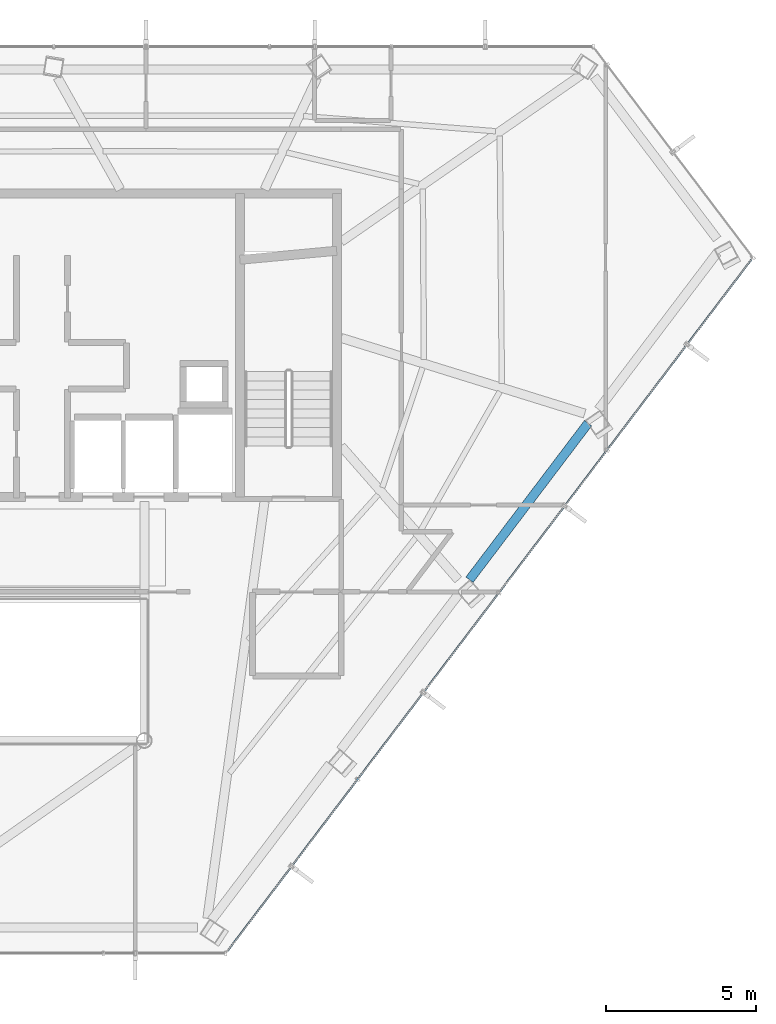
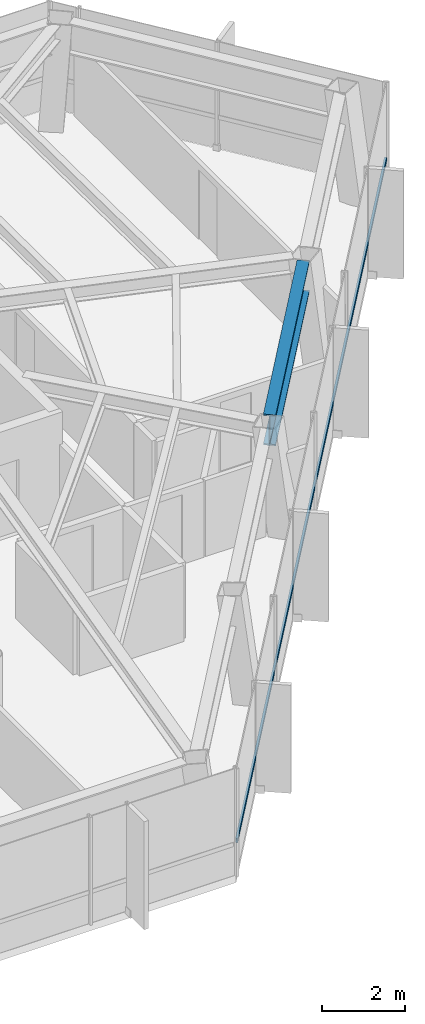
# One storey, part 18 of 27: 1 beam, 1 member, 1 element without a shape of its own.
"""IFC4 building model written with IfcOpenShell, lengths in metres."""

from ifc_helpers import new_model, si_unit, direction, frame, origin, origin_2d, place, context, subcontext, project, spatial, hollow_rectangle, i_section, extrude, material, layer, layer_set, material_profile, profile_set, type_object, element, aggregate, save


model = new_model("IFC4")

# Units and contexts
model_context = context("Model", 3, precision=1e-05, world=origin(), true_north=direction((0.0, 1.0)))
body_context = subcontext(model_context, "Body", "Model", "MODEL_VIEW")
ifc_project = project(units=[si_unit("LENGTHUNIT", "METRE"), si_unit("AREAUNIT", "SQUARE_METRE"), si_unit("VOLUMEUNIT", "CUBIC_METRE"), si_unit("PLANEANGLEUNIT", "RADIAN"), si_unit("MASSUNIT", "GRAM", prefix="KILO")], contexts=[model_context])

# Site, building, storey
site_placement = place(None, origin())
site = spatial("IfcSite", under=ifc_project, at=site_placement, CompositionType="ELEMENT")
building_placement = place(site_placement, origin())
building = spatial("IfcBuilding", under=site, at=building_placement, Name="Zarrinselat Tower", CompositionType="ELEMENT")
storey_placement = place(building_placement, frame((0.0, 0.0, 225.760009765625)))
storey = spatial("IfcBuildingStorey", under=building, at=storey_placement, Name="L56", CompositionType="ELEMENT", Elevation=225.760009765625)

# Beam
ifc_material_1 = material(Name="Steel S460M", Category="steel")
ifc_material_profile_1 = material_profile(ifc_material_1, i_section(OverallWidth=0.302001953125, OverallDepth=0.909912109375, WebThickness=0.02099609375, FlangeThickness=0.0400390625, at=origin_2d()), Name="HEM 900")
ifc_profile_set_1 = profile_set([ifc_material_profile_1], Name="Steel S460M")
beam_type = type_object("IfcBeamType", Name="BM-HEM900", PredefinedType="BEAM", material=ifc_profile_set_1)
beam_placement = place(storey_placement, frame((52.62060546875, 30.552001953125, 2.72509765625), z_axis=(0.603871350868, 0.797081797308, 0.0), x_axis=(-0.797081797308, 0.603871350868, 0.0)))
element("IfcBeam", 1, at=beam_placement, inside=storey, type_object=beam_type, Name="L56 Perimeter Spandrel Girder SP13", PredefinedType="BEAM", context=body_context, shape_type="SweptSolid", body=[
    extrude(i_section(OverallWidth=0.302001953125, OverallDepth=0.909912109375, WebThickness=0.02099609375, FlangeThickness=0.0400390625, at=origin_2d()), origin(), (0.0, 0.0, 1.0), 6.53662109375),
])

# Curtain wall, member
ifc_material_2 = material(Name="Extruded Aluminium Alloy EN AW-6063 T6", Category="aluminium")
ifc_layer = layer(ifc_material_2, 0.169921875)
ifc_layer_set = layer_set([ifc_layer], Name="Extruded Aluminium Alloy EN AW-6063 T6")
curtain_wall_type = type_object("IfcCurtainWallType", Name="CWS-RES", PredefinedType="NOTDEFINED", material=ifc_layer_set)
curtain_wall_placement = place(storey_placement, origin())
curtain_wall = element("IfcCurtainWall", 2, at=curtain_wall_placement, inside=storey, type_object=curtain_wall_type, Name="L56 Unitised Curtain Wall CW-L56-E05", PredefinedType="NOTDEFINED")
ifc_material_3 = material(Name="Extruded Aluminium Alloy EN AW-6063 T6", Category="aluminium")
ifc_material_profile_2 = material_profile(ifc_material_3, hollow_rectangle(XDim=0.06005859375, YDim=0.1201171875, WallThickness=0.00390625, at=origin_2d()), Name="RHS 120x60x4")
ifc_profile_set_2 = profile_set([ifc_material_profile_2], Name="Extruded Aluminium Alloy EN AW-6063 T6")
member_type = type_object("IfcMemberType", Name="MEM-CW-TRN2", PredefinedType="USERDEFINED", material=ifc_profile_set_2)
member_placement = place(storey_placement, frame((44.564453125, 18.1884765625, 0.949951171875), z_axis=(0.603861920342, 0.797088941813, 0.0), x_axis=(-0.797088941813, 0.603861920342, 0.0)))
member = element("IfcMember", 3, at=member_placement, type_object=member_type, Name="CW-L56-E05 Transom 1", ObjectType="TRANSOM", PredefinedType="USERDEFINED", context=body_context, shape_type="SweptSolid", body=[
    extrude(hollow_rectangle(XDim=0.06005859375, YDim=0.1201171875, WallThickness=0.00390625, at=origin_2d()), origin(), (0.0, 0.0, 1.0), 28.875732421875),
])
aggregate(curtain_wall, [member])

save(model, "model.ifc")
